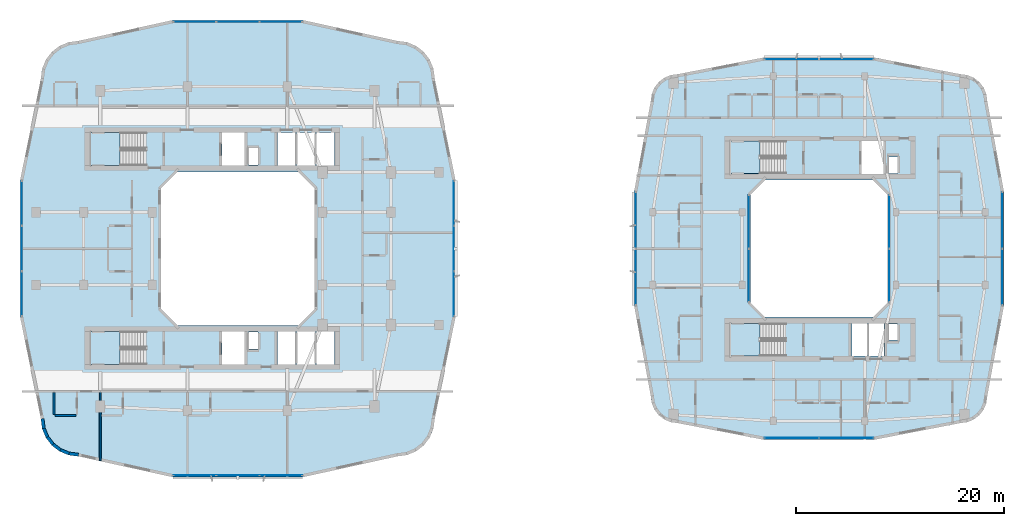
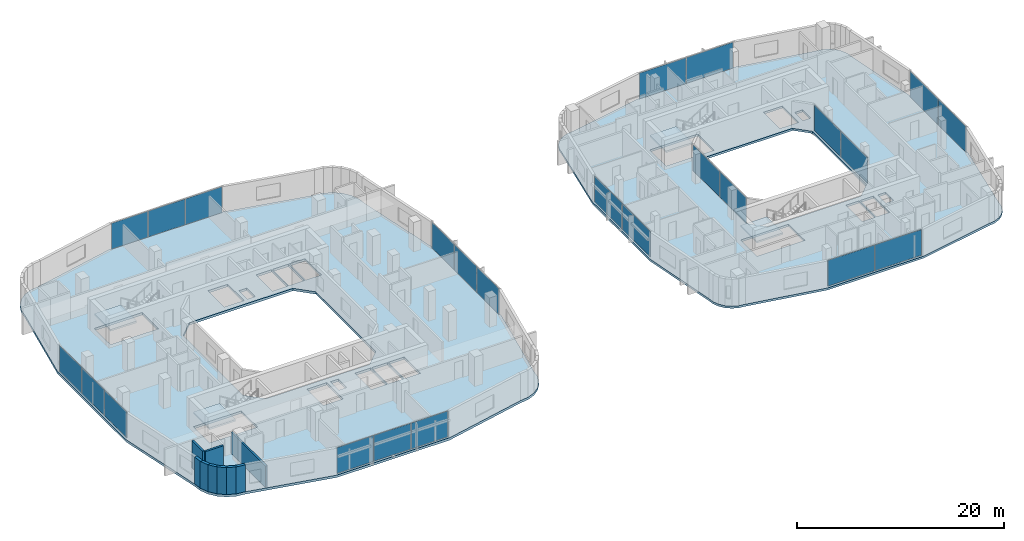
# One storey, part 11 of 25: 24 plates, 9 walls, 6 slabs, 14 elements without a shape of their own.
"""IFC4 building model written with IfcOpenShell, lengths in metres."""

from ifc_helpers import new_model, si_unit, derived_unit, direction, frame, frame_2d, origin, origin_2d, place, context, subcontext, project, spatial, polyline, rectangle, outline, extrude, material, layer, layer_set, type_object, element, aggregate, save


model = new_model("IFC4")

# Units and contexts
model_context = context("Model", 3, precision=1e-05, world=origin(), true_north=direction((0.0, 1.0)))
body_context = subcontext(model_context, "Body", "Model", "MODEL_VIEW")
ifc_project = project(units=[si_unit("LENGTHUNIT", "METRE"), si_unit("AREAUNIT", "SQUARE_METRE"), si_unit("VOLUMEUNIT", "CUBIC_METRE"), si_unit("PLANEANGLEUNIT", "RADIAN"), si_unit("MASSUNIT", "GRAM", prefix="KILO"), derived_unit("THERMALTRANSMITTANCEUNIT", [(si_unit("POWERUNIT", "WATT"), 1), (si_unit("LENGTHUNIT", "METRE"), -2), (si_unit("THERMODYNAMICTEMPERATUREUNIT", "KELVIN"), -1)])], contexts=[model_context])

# Site, building, storey
site_placement = place(None, origin())
site = spatial("IfcSite", under=ifc_project, at=site_placement, CompositionType="ELEMENT")
building_placement = place(site_placement, origin())
building = spatial("IfcBuilding", under=site, at=building_placement, Name="Kivonza Crest Hotel", CompositionType="ELEMENT")
storey_placement = place(building_placement, frame((0.0, 0.0, 87.0)))
storey = spatial("IfcBuildingStorey", under=building, at=storey_placement, Name="L23", CompositionType="ELEMENT", Elevation=87.0)

# Curtain wall, plates
ifc_material_1 = material(Name="Anodised bronze aluminium and low-E double glazing", Category="aluminium")
ifc_layer_1 = layer(ifc_material_1, 0.179931640625)
ifc_layer_set_1 = layer_set([ifc_layer_1], Name="Anodised bronze aluminium and low-E double glazing")
curtain_wall_type_1 = type_object("IfcCurtainWallType", Name="CW-SYS-2", PredefinedType="NOTDEFINED", material=ifc_layer_set_1)
curtain_wall_1_placement = place(storey_placement, origin())
curtain_wall_1 = element("IfcCurtainWall", 1, at=curtain_wall_1_placement, inside=storey, type_object=curtain_wall_type_1, Name="L23 unitised curtain wall CW-T1-L23-08", PredefinedType="NOTDEFINED")
ifc_material_2 = material(Name="Solar-control low-E double glazing", Category="glass")
ifc_layer_2 = layer(ifc_material_2, 0.028076171875)
ifc_layer_set_2 = layer_set([ifc_layer_2], Name="Solar-control low-E double glazing")
plate_type = type_object("IfcPlateType", Name="CW-PNL-28", PredefinedType="CURTAIN_PANEL", material=ifc_layer_set_2)
plate_1_placement = place(storey_placement, frame((16.890869140625, 3.159912109375, 0.06494140625), z_axis=(0.0, 0.0, 1.0), x_axis=(1.0, 0.0, 0.0)))
plate_1 = element("IfcPlate", 2, at=plate_1_placement, type_object=plate_type, Name="CW-2 panel 1.1", PredefinedType="CURTAIN_PANEL", context=body_context, shape_type="SweptSolid", body=[
    extrude(rectangle(XDim=4.06787109375, YDim=0.028076171875, at=origin_2d()), origin(), (0.0, 0.0, 1.0), 3.050048828125),
])
plate_2_placement = place(storey_placement, frame((21.0400390625, 3.159912109375, 0.06494140625), z_axis=(0.0, 0.0, 1.0), x_axis=(1.0, 0.0, 0.0)))
plate_2 = element("IfcPlate", 3, at=plate_2_placement, type_object=plate_type, Name="CW-2 panel 2.1", PredefinedType="CURTAIN_PANEL", context=body_context, shape_type="SweptSolid", body=[
    extrude(rectangle(XDim=4.100341796875, YDim=0.028076171875, at=origin_2d()), origin(), (0.0, 0.0, 1.0), 3.050048828125),
])
plate_3_placement = place(storey_placement, frame((25.18896484375, 3.159912109375, 0.06494140625), z_axis=(0.0, 0.0, 1.0), x_axis=(1.0, 0.0, 0.0)))
plate_3 = element("IfcPlate", 4, at=plate_3_placement, type_object=plate_type, Name="CW-2 panel 3.1", PredefinedType="CURTAIN_PANEL", context=body_context, shape_type="SweptSolid", body=[
    extrude(rectangle(XDim=4.06787109375, YDim=0.028076171875, at=origin_2d()), origin(), (0.0, 0.0, 1.0), 3.050048828125),
])
aggregate(curtain_wall_1, [plate_1, plate_2, plate_3])

curtain_wall_2_placement = place(storey_placement, origin())
curtain_wall_2 = element("IfcCurtainWall", 5, at=curtain_wall_2_placement, inside=storey, type_object=curtain_wall_type_1, Name="L23 unitised curtain wall CW-T1-L23-17", PredefinedType="NOTDEFINED")
plate_4_placement = place(storey_placement, frame((41.840087890625, 20.642822265625, 0.06494140625), z_axis=(0.0, 0.0, 1.0), x_axis=(0.0, 1.0, 0.0)))
plate_4 = element("IfcPlate", 6, at=plate_4_placement, type_object=plate_type, Name="CW-2 panel 1.1", PredefinedType="CURTAIN_PANEL", context=body_context, shape_type="SweptSolid", body=[
    extrude(rectangle(XDim=4.27587890625, YDim=0.028076171875, at=origin_2d()), origin(), (0.0, 0.0, 1.0), 3.050048828125),
])
plate_5_placement = place(storey_placement, frame((41.840087890625, 25.0, 0.06494140625), z_axis=(0.0, 0.0, 1.0), x_axis=(0.0, 1.0, 0.0)))
plate_5 = element("IfcPlate", 7, at=plate_5_placement, type_object=plate_type, Name="CW-2 panel 2.1", PredefinedType="CURTAIN_PANEL", context=body_context, shape_type="SweptSolid", body=[
    extrude(rectangle(XDim=4.308349609375, YDim=0.028076171875, at=origin_2d()), origin(), (0.0, 0.0, 1.0), 3.050048828125),
])
plate_6_placement = place(storey_placement, frame((41.840087890625, 29.357177734375, 0.06494140625), z_axis=(0.0, 0.0, 1.0), x_axis=(0.0, 1.0, 0.0)))
plate_6 = element("IfcPlate", 8, at=plate_6_placement, type_object=plate_type, Name="CW-2 panel 3.1", PredefinedType="CURTAIN_PANEL", context=body_context, shape_type="SweptSolid", body=[
    extrude(rectangle(XDim=4.27587890625, YDim=0.028076171875, at=origin_2d()), origin(), (0.0, 0.0, 1.0), 3.050048828125),
])
aggregate(curtain_wall_2, [plate_4, plate_5, plate_6])

curtain_wall_3_placement = place(storey_placement, origin())
curtain_wall_3 = element("IfcCurtainWall", 9, at=curtain_wall_3_placement, inside=storey, type_object=curtain_wall_type_1, Name="L23 unitised curtain wall CW-T1-L23-26", PredefinedType="NOTDEFINED")
plate_7_placement = place(storey_placement, frame((25.18896484375, 46.840087890625, 0.06494140625), z_axis=(0.0, 0.0, 1.0), x_axis=(-1.0, 0.0, 0.0)))
plate_7 = element("IfcPlate", 10, at=plate_7_placement, type_object=plate_type, Name="CW-2 panel 1.1", PredefinedType="CURTAIN_PANEL", context=body_context, shape_type="SweptSolid", body=[
    extrude(rectangle(XDim=4.06787109375, YDim=0.028076171875, at=origin_2d()), origin(), (0.0, 0.0, 1.0), 3.050048828125),
])
plate_8_placement = place(storey_placement, frame((21.0400390625, 46.840087890625, 0.06494140625), z_axis=(0.0, 0.0, 1.0), x_axis=(-1.0, 0.0, 0.0)))
plate_8 = element("IfcPlate", 11, at=plate_8_placement, type_object=plate_type, Name="CW-2 panel 2.1", PredefinedType="CURTAIN_PANEL", context=body_context, shape_type="SweptSolid", body=[
    extrude(rectangle(XDim=4.100341796875, YDim=0.028076171875, at=origin_2d()), origin(), (0.0, 0.0, 1.0), 3.050048828125),
])
plate_9_placement = place(storey_placement, frame((16.890869140625, 46.840087890625, 0.06494140625), z_axis=(0.0, 0.0, 1.0), x_axis=(-1.0, 0.0, 0.0)))
plate_9 = element("IfcPlate", 12, at=plate_9_placement, type_object=plate_type, Name="CW-2 panel 3.1", PredefinedType="CURTAIN_PANEL", context=body_context, shape_type="SweptSolid", body=[
    extrude(rectangle(XDim=4.06787109375, YDim=0.028076171875, at=origin_2d()), origin(), (0.0, 0.0, 1.0), 3.050048828125),
])
aggregate(curtain_wall_3, [plate_7, plate_8, plate_9])

curtain_wall_4_placement = place(storey_placement, origin())
curtain_wall_4 = element("IfcCurtainWall", 13, at=curtain_wall_4_placement, inside=storey, type_object=curtain_wall_type_1, Name="L23 unitised curtain wall CW-T1-L23-35", PredefinedType="NOTDEFINED")
plate_10_placement = place(storey_placement, frame((0.239990234375, 29.357177734375, 0.06494140625), z_axis=(0.0, 0.0, 1.0), x_axis=(0.0, -1.0, 0.0)))
plate_10 = element("IfcPlate", 14, at=plate_10_placement, type_object=plate_type, Name="CW-2 panel 1.1", PredefinedType="CURTAIN_PANEL", context=body_context, shape_type="SweptSolid", body=[
    extrude(rectangle(XDim=4.27587890625, YDim=0.028076171875, at=origin_2d()), origin(), (0.0, 0.0, 1.0), 3.050048828125),
])
plate_11_placement = place(storey_placement, frame((0.239990234375, 25.0, 0.06494140625), z_axis=(0.0, 0.0, 1.0), x_axis=(0.0, -1.0, 0.0)))
plate_11 = element("IfcPlate", 15, at=plate_11_placement, type_object=plate_type, Name="CW-2 panel 2.1", PredefinedType="CURTAIN_PANEL", context=body_context, shape_type="SweptSolid", body=[
    extrude(rectangle(XDim=4.308349609375, YDim=0.028076171875, at=origin_2d()), origin(), (0.0, 0.0, 1.0), 3.050048828125),
])
plate_12_placement = place(storey_placement, frame((0.239990234375, 20.642822265625, 0.06494140625), z_axis=(0.0, 0.0, 1.0), x_axis=(0.0, -1.0, 0.0)))
plate_12 = element("IfcPlate", 16, at=plate_12_placement, type_object=plate_type, Name="CW-2 panel 3.1", PredefinedType="CURTAIN_PANEL", context=body_context, shape_type="SweptSolid", body=[
    extrude(rectangle(XDim=4.27587890625, YDim=0.028076171875, at=origin_2d()), origin(), (0.0, 0.0, 1.0), 3.050048828125),
])
aggregate(curtain_wall_4, [plate_10, plate_11, plate_12])

ifc_layer_3 = layer(ifc_material_1, 0.179931640625)
ifc_layer_set_3 = layer_set([ifc_layer_3], Name="Anodised bronze aluminium and low-E double glazing")
curtain_wall_type_2 = type_object("IfcCurtainWallType", Name="CW-SYS-4", PredefinedType="NOTDEFINED", material=ifc_layer_set_3)
curtain_wall_5_placement = place(storey_placement, origin())
curtain_wall_5 = element("IfcCurtainWall", 17, at=curtain_wall_5_placement, inside=storey, type_object=curtain_wall_type_2, Name="L23 unitised curtain wall CW-T2-L23-08", PredefinedType="NOTDEFINED")
plate_13_placement = place(storey_placement, frame((74.3662109375, 6.760009765625, 0.06494140625), z_axis=(0.0, 0.0, 1.0), x_axis=(1.0, 0.0, 0.0)))
plate_13 = element("IfcPlate", 18, at=plate_13_placement, type_object=plate_type, Name="CW-4 panel 1.1", PredefinedType="CURTAIN_PANEL", context=body_context, shape_type="SweptSolid", body=[
    extrude(rectangle(XDim=5.202392578125, YDim=0.028076171875, at=origin_2d()), origin(), (0.0, 0.0, 1.0), 3.050048828125),
])
plate_14_placement = place(storey_placement, frame((79.6337890625, 6.760009765625, 0.06494140625), z_axis=(0.0, 0.0, 1.0), x_axis=(1.0, 0.0, 0.0)))
plate_14 = element("IfcPlate", 19, at=plate_14_placement, type_object=plate_type, Name="CW-4 panel 2.1", PredefinedType="CURTAIN_PANEL", context=body_context, shape_type="SweptSolid", body=[
    extrude(rectangle(XDim=5.202392578125, YDim=0.028076171875, at=origin_2d()), origin(), (0.0, 0.0, 1.0), 3.050048828125),
])
aggregate(curtain_wall_5, [plate_13, plate_14])

curtain_wall_6_placement = place(storey_placement, origin())
curtain_wall_6 = element("IfcCurtainWall", 20, at=curtain_wall_6_placement, inside=storey, type_object=curtain_wall_type_2, Name="L23 unitised curtain wall CW-T2-L23-17", PredefinedType="NOTDEFINED")
plate_15_placement = place(storey_placement, frame((94.639892578125, 22.2763671875, 0.06494140625), z_axis=(0.0, 0.0, 1.0), x_axis=(0.0, 1.0, 0.0)))
plate_15 = element("IfcPlate", 21, at=plate_15_placement, type_object=plate_type, Name="CW-4 panel 1.1", PredefinedType="CURTAIN_PANEL", context=body_context, shape_type="SweptSolid", body=[
    extrude(rectangle(XDim=5.382568359375, YDim=0.028076171875, at=origin_2d()), origin(), (0.0, 0.0, 1.0), 3.050048828125),
])
plate_16_placement = place(storey_placement, frame((94.639892578125, 27.7236328125, 0.06494140625), z_axis=(0.0, 0.0, 1.0), x_axis=(0.0, 1.0, 0.0)))
plate_16 = element("IfcPlate", 22, at=plate_16_placement, type_object=plate_type, Name="CW-4 panel 2.1", PredefinedType="CURTAIN_PANEL", context=body_context, shape_type="SweptSolid", body=[
    extrude(rectangle(XDim=5.382568359375, YDim=0.028076171875, at=origin_2d()), origin(), (0.0, 0.0, 1.0), 3.050048828125),
])
aggregate(curtain_wall_6, [plate_15, plate_16])

curtain_wall_7_placement = place(storey_placement, origin())
curtain_wall_7 = element("IfcCurtainWall", 23, at=curtain_wall_7_placement, inside=storey, type_object=curtain_wall_type_2, Name="L23 unitised curtain wall CW-T2-L23-26", PredefinedType="NOTDEFINED")
plate_17_placement = place(storey_placement, frame((79.6337890625, 43.239990234375, 0.06494140625), z_axis=(0.0, 0.0, 1.0), x_axis=(-1.0, 0.0, 0.0)))
plate_17 = element("IfcPlate", 24, at=plate_17_placement, type_object=plate_type, Name="CW-4 panel 1.1", PredefinedType="CURTAIN_PANEL", context=body_context, shape_type="SweptSolid", body=[
    extrude(rectangle(XDim=5.202392578125, YDim=0.028076171875, at=origin_2d()), origin(), (0.0, 0.0, 1.0), 3.050048828125),
])
plate_18_placement = place(storey_placement, frame((74.3662109375, 43.239990234375, 0.06494140625), z_axis=(0.0, 0.0, 1.0), x_axis=(-1.0, 0.0, 0.0)))
plate_18 = element("IfcPlate", 25, at=plate_18_placement, type_object=plate_type, Name="CW-4 panel 2.1", PredefinedType="CURTAIN_PANEL", context=body_context, shape_type="SweptSolid", body=[
    extrude(rectangle(XDim=5.202392578125, YDim=0.028076171875, at=origin_2d()), origin(), (0.0, 0.0, 1.0), 3.050048828125),
])
aggregate(curtain_wall_7, [plate_17, plate_18])

curtain_wall_8_placement = place(storey_placement, origin())
curtain_wall_8 = element("IfcCurtainWall", 26, at=curtain_wall_8_placement, inside=storey, type_object=curtain_wall_type_2, Name="L23 unitised curtain wall CW-T2-L23-35", PredefinedType="NOTDEFINED")
plate_19_placement = place(storey_placement, frame((59.360107421875, 27.7236328125, 0.06494140625), z_axis=(0.0, 0.0, 1.0), x_axis=(0.0, -1.0, 0.0)))
plate_19 = element("IfcPlate", 27, at=plate_19_placement, type_object=plate_type, Name="CW-4 panel 1.1", PredefinedType="CURTAIN_PANEL", context=body_context, shape_type="SweptSolid", body=[
    extrude(rectangle(XDim=5.382568359375, YDim=0.028076171875, at=origin_2d()), origin(), (0.0, 0.0, 1.0), 3.050048828125),
])
plate_20_placement = place(storey_placement, frame((59.360107421875, 22.2763671875, 0.06494140625), z_axis=(0.0, 0.0, 1.0), x_axis=(0.0, -1.0, 0.0)))
plate_20 = element("IfcPlate", 28, at=plate_20_placement, type_object=plate_type, Name="CW-4 panel 2.1", PredefinedType="CURTAIN_PANEL", context=body_context, shape_type="SweptSolid", body=[
    extrude(rectangle(XDim=5.382568359375, YDim=0.028076171875, at=origin_2d()), origin(), (0.0, 0.0, 1.0), 3.050048828125),
])
aggregate(curtain_wall_8, [plate_19, plate_20])

ifc_layer_4 = layer(ifc_material_1, 0.159912109375)
ifc_layer_set_4 = layer_set([ifc_layer_4], Name="Anodised bronze aluminium and low-E double glazing")
curtain_wall_type_3 = type_object("IfcCurtainWallType", Name="CW-SYS-5", PredefinedType="NOTDEFINED", material=ifc_layer_set_4)
curtain_wall_9_placement = place(storey_placement, origin())
curtain_wall_9 = element("IfcCurtainWall", 29, at=curtain_wall_9_placement, inside=storey, type_object=curtain_wall_type_3, Name="L23 unitised curtain wall CW-WELL-T2-L23-3", PredefinedType="NOTDEFINED")
plate_21_placement = place(storey_placement, frame((83.760009765625, 22.416259765625, 0.06494140625), z_axis=(0.0, 0.0, 1.0), x_axis=(0.0, 1.0, 0.0)))
plate_21 = element("IfcPlate", 30, at=plate_21_placement, type_object=plate_type, Name="CW-5 panel 1.1", PredefinedType="CURTAIN_PANEL", context=body_context, shape_type="SweptSolid", body=[
    extrude(rectangle(XDim=5.1025390625, YDim=0.028076171875, at=origin_2d()), origin(), (0.0, 0.0, 1.0), 3.050048828125),
])
plate_22_placement = place(storey_placement, frame((83.760009765625, 27.583740234375, 0.06494140625), z_axis=(0.0, 0.0, 1.0), x_axis=(0.0, 1.0, 0.0)))
plate_22 = element("IfcPlate", 31, at=plate_22_placement, type_object=plate_type, Name="CW-5 panel 2.1", PredefinedType="CURTAIN_PANEL", context=body_context, shape_type="SweptSolid", body=[
    extrude(rectangle(XDim=5.1025390625, YDim=0.028076171875, at=origin_2d()), origin(), (0.0, 0.0, 1.0), 3.050048828125),
])
aggregate(curtain_wall_9, [plate_21, plate_22])

curtain_wall_10_placement = place(storey_placement, origin())
curtain_wall_10 = element("IfcCurtainWall", 32, at=curtain_wall_10_placement, inside=storey, type_object=curtain_wall_type_3, Name="L23 unitised curtain wall CW-WELL-T2-L23-7", PredefinedType="NOTDEFINED")
plate_23_placement = place(storey_placement, frame((70.239990234375, 27.583740234375, 0.06494140625), z_axis=(0.0, 0.0, 1.0), x_axis=(0.0, -1.0, 0.0)))
plate_23 = element("IfcPlate", 33, at=plate_23_placement, type_object=plate_type, Name="CW-5 panel 1.1", PredefinedType="CURTAIN_PANEL", context=body_context, shape_type="SweptSolid", body=[
    extrude(rectangle(XDim=5.1025390625, YDim=0.028076171875, at=origin_2d()), origin(), (0.0, 0.0, 1.0), 3.050048828125),
])
plate_24_placement = place(storey_placement, frame((70.239990234375, 22.416259765625, 0.06494140625), z_axis=(0.0, 0.0, 1.0), x_axis=(0.0, -1.0, 0.0)))
plate_24 = element("IfcPlate", 34, at=plate_24_placement, type_object=plate_type, Name="CW-5 panel 2.1", PredefinedType="CURTAIN_PANEL", context=body_context, shape_type="SweptSolid", body=[
    extrude(rectangle(XDim=5.1025390625, YDim=0.028076171875, at=origin_2d()), origin(), (0.0, 0.0, 1.0), 3.050048828125),
])
aggregate(curtain_wall_10, [plate_23, plate_24])

# Slab
ifc_material_3 = material(Name="Concrete C40/50", Category="concrete")
ifc_layer_5 = layer(ifc_material_3, 0.280029296875)
ifc_layer_set_5 = layer_set([ifc_layer_5], Name="Concrete C40/50")
slab_type_1 = type_object("IfcSlabType", Name="SL-HTL-280", PredefinedType="FLOOR", material=ifc_layer_set_5)
slab_1_placement = place(storey_placement, frame((0.0, 0.0, -0.280029296875)))
element("IfcSlab", 35, at=slab_1_placement, inside=storey, type_object=slab_type_1, Name="Tower T1 L23 floor slab", PredefinedType="FLOOR", context=body_context, shape_type="SweptSolid", body=[
    extrude(outline(polyline([(2.080078125, 8.60009765625), (2.202880859375, 7.66796875), (2.56201171875, 6.800048828125), (3.134033203125, 6.053955078125), (3.8798828125, 5.48193359375), (4.748046875, 5.123046875), (5.679931640625, 5.0), (14.751953125, 3.0), (27.327880859375, 3.0), (36.39990234375, 5.0), (37.33203125, 5.123046875), (38.199951171875, 5.48193359375), (38.946044921875, 6.053955078125), (39.51806640625, 6.800048828125), (39.876953125, 7.66796875), (40.0, 8.60009765625), (42.0, 18.39990234375), (42.0, 31.60009765625), (40.0, 41.39990234375), (39.876953125, 42.33203125), (39.51806640625, 43.199951171875), (38.946044921875, 43.946044921875), (38.199951171875, 44.51806640625), (37.33203125, 44.876953125), (36.39990234375, 45.0), (27.327880859375, 47.0), (14.751953125, 47.0), (5.679931640625, 45.0), (4.748046875, 44.876953125), (3.8798828125, 44.51806640625), (3.134033203125, 43.946044921875), (2.56201171875, 43.199951171875), (2.202880859375, 42.33203125), (2.080078125, 41.39990234375), (0.080078125, 31.60009765625), (0.080078125, 18.39990234375), (2.080078125, 8.60009765625)]), holes=[polyline([(15.239990234375, 17.60009765625), (26.840087890625, 17.60009765625), (28.43994140625, 19.199951171875), (28.43994140625, 30.800048828125), (26.840087890625, 32.39990234375), (15.239990234375, 32.39990234375), (13.639892578125, 30.800048828125), (13.639892578125, 19.199951171875), (15.239990234375, 17.60009765625)]), polyline([(6.800048828125, 33.02001953125), (12.159912109375, 33.02001953125), (12.159912109375, 36.159912109375), (6.800048828125, 36.159912109375), (6.800048828125, 33.02001953125)]), polyline([(6.800048828125, 13.860107421875), (12.159912109375, 13.860107421875), (12.159912109375, 17.0), (6.800048828125, 17.0), (6.800048828125, 13.860107421875)]), polyline([(22.080078125, 33.0400390625), (22.969970703125, 33.0400390625), (22.969970703125, 34.679931640625), (22.080078125, 34.679931640625), (22.080078125, 33.0400390625)]), polyline([(22.080078125, 15.320068359375), (22.969970703125, 15.320068359375), (22.969970703125, 16.9599609375), (22.080078125, 16.9599609375), (22.080078125, 15.320068359375)]), polyline([(19.5, 33.0), (21.699951171875, 33.0), (21.699951171875, 36.159912109375), (19.5, 36.159912109375), (19.5, 33.0)]), polyline([(24.860107421875, 33.0), (26.60693359375, 33.0), (26.60693359375, 36.159912109375), (24.860107421875, 36.159912109375), (24.860107421875, 33.0)]), polyline([(26.72705078125, 33.0), (28.472900390625, 33.0), (28.472900390625, 36.159912109375), (26.72705078125, 36.159912109375), (26.72705078125, 33.0)]), polyline([(28.593017578125, 33.0), (30.340087890625, 33.0), (30.340087890625, 36.159912109375), (28.593017578125, 36.159912109375), (28.593017578125, 33.0)]), polyline([(19.5, 13.840087890625), (21.699951171875, 13.840087890625), (21.699951171875, 17.0), (19.5, 17.0), (19.5, 13.840087890625)]), polyline([(24.860107421875, 13.840087890625), (26.60693359375, 13.840087890625), (26.60693359375, 17.0), (24.860107421875, 17.0), (24.860107421875, 13.840087890625)]), polyline([(26.72705078125, 13.840087890625), (28.472900390625, 13.840087890625), (28.472900390625, 17.0), (26.72705078125, 17.0), (26.72705078125, 13.840087890625)]), polyline([(28.593017578125, 13.840087890625), (30.340087890625, 13.840087890625), (30.340087890625, 17.0), (28.593017578125, 17.0), (28.593017578125, 13.840087890625)])]), origin(), (0.0, 0.0, 1.0), 0.280029296875),
])

# Stair, slab
stair_type = type_object("IfcStairType", Name="ST-DL-20R", PredefinedType="HALF_TURN_STAIR", material=ifc_material_3)
stair_1_placement = place(storey_placement, origin())
stair_1 = element("IfcStair", 36, at=stair_1_placement, inside=storey, type_object=stair_type, Name="L23 Protected Exit Stair ST-T1-N", PredefinedType="HALF_TURN_STAIR")
ifc_layer_6 = layer(ifc_material_3, 0.199951171875)
ifc_layer_set_6 = layer_set([ifc_layer_6], Name="Concrete C40/50")
slab_type_2 = type_object("IfcSlabType", Name="SL-LAND-200", PredefinedType="LANDING", material=ifc_layer_set_6)
slab_2_placement = place(storey_placement, frame((0.0, 0.0, 1.550048828125)))
slab_2 = element("IfcSlab", 37, at=slab_2_placement, type_object=slab_type_2, Name="ST-T1-N landing 1", PredefinedType="LANDING", context=body_context, shape_type="SweptSolid", body=[
    extrude(outline(polyline([(9.719970703125, 36.159912109375), (6.800048828125, 36.159912109375), (6.800048828125, 33.02001953125), (9.719970703125, 33.02001953125), (9.719970703125, 36.159912109375)])), origin(), (0.0, 0.0, 1.0), 0.199951171875),
])
aggregate(stair_1, [slab_2])

stair_2_placement = place(storey_placement, origin())
stair_2 = element("IfcStair", 38, at=stair_2_placement, inside=storey, type_object=stair_type, Name="L23 Protected Exit Stair ST-T1-S", PredefinedType="HALF_TURN_STAIR")
slab_3_placement = place(storey_placement, frame((0.0, 0.0, 1.550048828125)))
slab_3 = element("IfcSlab", 39, at=slab_3_placement, type_object=slab_type_2, Name="ST-T1-S landing 1", PredefinedType="LANDING", context=body_context, shape_type="SweptSolid", body=[
    extrude(outline(polyline([(9.719970703125, 17.0), (6.800048828125, 17.0), (6.800048828125, 13.860107421875), (9.719970703125, 13.860107421875), (9.719970703125, 17.0)])), origin(), (0.0, 0.0, 1.0), 0.199951171875),
])
aggregate(stair_2, [slab_3])

stair_3_placement = place(storey_placement, origin())
stair_3 = element("IfcStair", 40, at=stair_3_placement, inside=storey, type_object=stair_type, Name="L23 Protected Exit Stair ST-T2-N", PredefinedType="HALF_TURN_STAIR")
slab_4_placement = place(storey_placement, frame((0.0, 0.0, 1.550048828125)))
slab_4 = element("IfcSlab", 41, at=slab_4_placement, type_object=slab_type_2, Name="ST-T2-N landing 1", PredefinedType="LANDING", context=body_context, shape_type="SweptSolid", body=[
    extrude(outline(polyline([(71.320068359375, 35.360107421875), (68.39990234375, 35.360107421875), (68.39990234375, 32.219970703125), (71.320068359375, 32.219970703125), (71.320068359375, 35.360107421875)])), origin(), (0.0, 0.0, 1.0), 0.199951171875),
])
aggregate(stair_3, [slab_4])

stair_4_placement = place(storey_placement, origin())
stair_4 = element("IfcStair", 42, at=stair_4_placement, inside=storey, type_object=stair_type, Name="L23 Protected Exit Stair ST-T2-S", PredefinedType="HALF_TURN_STAIR")
slab_5_placement = place(storey_placement, frame((0.0, 0.0, 1.550048828125)))
slab_5 = element("IfcSlab", 43, at=slab_5_placement, type_object=slab_type_2, Name="ST-T2-S landing 1", PredefinedType="LANDING", context=body_context, shape_type="SweptSolid", body=[
    extrude(outline(polyline([(71.320068359375, 17.800048828125), (68.39990234375, 17.800048828125), (68.39990234375, 14.659912109375), (71.320068359375, 14.659912109375), (71.320068359375, 17.800048828125)])), origin(), (0.0, 0.0, 1.0), 0.199951171875),
])
aggregate(stair_4, [slab_5])

# Slab
ifc_layer_7 = layer(ifc_material_3, 0.25)
ifc_layer_set_7 = layer_set([ifc_layer_7], Name="Concrete C40/50")
slab_type_3 = type_object("IfcSlabType", Name="SL-RES-250", PredefinedType="FLOOR", material=ifc_layer_set_7)
slab_6_placement = place(storey_placement, frame((0.0, 0.0, -0.25)))
element("IfcSlab", 44, at=slab_6_placement, inside=storey, type_object=slab_type_3, Name="Companion Tower T2 L23 floor slab", PredefinedType="FLOOR", context=body_context, shape_type="SweptSolid", body=[
    extrude(outline(polyline([(60.800048828125, 10.800048828125), (60.888916015625, 10.126953125), (61.14794921875, 9.5), (61.56201171875, 8.9619140625), (62.10009765625, 8.548095703125), (62.72705078125, 8.2890625), (63.39990234375, 8.199951171875), (71.659912109375, 6.60009765625), (82.340087890625, 6.60009765625), (90.60009765625, 8.199951171875), (91.27294921875, 8.2890625), (91.89990234375, 8.548095703125), (92.43798828125, 8.9619140625), (92.85205078125, 9.5), (93.111083984375, 10.126953125), (93.199951171875, 10.800048828125), (94.800048828125, 19.47998046875), (94.800048828125, 30.52001953125), (93.199951171875, 39.199951171875), (93.111083984375, 39.873046875), (92.85205078125, 40.5), (92.43798828125, 41.0380859375), (91.89990234375, 41.451904296875), (91.27294921875, 41.7109375), (90.60009765625, 41.800048828125), (82.340087890625, 43.39990234375), (71.659912109375, 43.39990234375), (63.39990234375, 41.800048828125), (62.72705078125, 41.7109375), (62.10009765625, 41.451904296875), (61.56201171875, 41.0380859375), (61.14794921875, 40.5), (60.888916015625, 39.873046875), (60.800048828125, 39.199951171875), (59.199951171875, 30.52001953125), (59.199951171875, 19.47998046875), (60.800048828125, 10.800048828125)]), holes=[polyline([(71.800048828125, 18.39990234375), (82.199951171875, 18.39990234375), (83.60009765625, 19.800048828125), (83.60009765625, 30.199951171875), (82.199951171875, 31.60009765625), (71.800048828125, 31.60009765625), (70.39990234375, 30.199951171875), (70.39990234375, 19.800048828125), (71.800048828125, 18.39990234375)]), polyline([(68.39990234375, 32.219970703125), (73.760009765625, 32.219970703125), (73.760009765625, 35.360107421875), (68.39990234375, 35.360107421875), (68.39990234375, 32.219970703125)]), polyline([(68.39990234375, 14.659912109375), (73.760009765625, 14.659912109375), (73.760009765625, 17.800048828125), (68.39990234375, 17.800048828125), (68.39990234375, 14.659912109375)]), polyline([(83.679931640625, 32.239990234375), (84.570068359375, 32.239990234375), (84.570068359375, 33.820068359375), (83.679931640625, 33.820068359375), (83.679931640625, 32.239990234375)]), polyline([(83.679931640625, 16.179931640625), (84.570068359375, 16.179931640625), (84.570068359375, 17.760009765625), (83.679931640625, 17.760009765625), (83.679931640625, 16.179931640625)]), polyline([(81.10009765625, 32.199951171875), (83.199951171875, 32.199951171875), (83.199951171875, 35.360107421875), (81.10009765625, 35.360107421875), (81.10009765625, 32.199951171875)]), polyline([(80.159912109375, 14.639892578125), (81.639892578125, 14.639892578125), (81.639892578125, 17.800048828125), (80.159912109375, 17.800048828125), (80.159912109375, 14.639892578125)]), polyline([(81.760009765625, 14.639892578125), (83.239990234375, 14.639892578125), (83.239990234375, 17.800048828125), (81.760009765625, 17.800048828125), (81.760009765625, 14.639892578125)])]), origin(), (0.0, 0.0, 1.0), 0.25),
])

# Walls
ifc_material_4 = material(Name="High-density acoustic masonry inter-tenancy wall", Category="masonry")
ifc_layer_8 = layer(ifc_material_4, 0.179931640625)
ifc_layer_set_8 = layer_set([ifc_layer_8], Name="High-density acoustic masonry inter-tenancy wall")
wall_type_1 = type_object("IfcWallType", Name="WL-ACOU-180", PredefinedType="SOLIDWALL", material=ifc_layer_set_8)
wall_1_placement = place(storey_placement, frame((7.800048828125, 4.593994140625, 0.0), z_axis=(0.0, 0.0, 1.0), x_axis=(0.0, 1.0, 0.0)))
element("IfcWall", 45, at=wall_1_placement, inside=storey, type_object=wall_type_1, Name="L23 interior partition WA-L23-T1S-DIV1", PredefinedType="SOLIDWALL", context=body_context, shape_type="SweptSolid", body=[
    extrude(rectangle(XDim=6.656005859375, YDim=0.179931640625, at=frame_2d((3.328125, 0.0))), origin(), (0.0, 0.0, 1.0), 2.554931640625),
])
ifc_material_5 = material(Name="Precast concrete C40/50", Category="concrete")
ifc_layer_9 = layer(ifc_material_5, 0.300048828125)
ifc_layer_set_9 = layer_set([ifc_layer_9], Name="Precast concrete C40/50")
wall_type_2 = type_object("IfcWallType", Name="WL-EXT-300", PredefinedType="STANDARD", material=ifc_layer_set_9)
wall_2_placement = place(storey_placement, frame((2.22802734375, 8.6279296875, 0.0), z_axis=(0.0, 0.0, 1.0), x_axis=(0.131174864804, -0.991359246108, 0.0)))
element("IfcWall", 46, at=wall_2_placement, inside=storey, type_object=wall_type_2, Name="L23 T1 exterior insulated wall 1", PredefinedType="STANDARD", context=body_context, shape_type="SweptSolid", body=[
    extrude(rectangle(XDim=0.93798828125, YDim=0.300048828125, at=frame_2d((0.468994140625, 0.0))), origin(), (0.0, 0.0, 1.0), 3.179931640625),
])
wall_3_placement = place(storey_placement, frame((2.33203125, 7.748046875, 0.0), z_axis=(0.0, 0.0, 1.0), x_axis=(0.382344263057, -0.924019948111, 0.0)))
element("IfcWall", 47, at=wall_3_placement, inside=storey, type_object=wall_type_2, Name="L23 T1 exterior insulated wall 2", PredefinedType="STANDARD", context=body_context, shape_type="SweptSolid", body=[
    extrude(rectangle(XDim=0.95458984375, YDim=0.300048828125, at=frame_2d((0.477294921875, 0.0))), origin(), (0.0, 0.0, 1.0), 3.179931640625),
])
for number, where, z_axis, x_axis, name in (
    (48, (2.666015625, 6.910888671875, 0.0), (0.0, 0.0, 1.0), (0.608474481025, -0.793573440799, 0.0), "L23 T1 exterior insulated wall 3"),
    (49, (3.205078125, 6.18798828125, 0.0), (0.0, 0.0, 1.0), (0.793573440799, -0.608474481025, 0.0), "L23 T1 exterior insulated wall 4"),
):
    element("IfcWall", number, at=place(storey_placement, frame(where, z_axis=z_axis, x_axis=x_axis)), inside=storey, type_object=wall_type_2, Name=name, PredefinedType="STANDARD", context=body_context, shape_type="SweptSolid", body=[
        extrude(rectangle(XDim=0.954833984375, YDim=0.300048828125, at=frame_2d((0.4775390625, 0.0))), origin(), (0.0, 0.0, 1.0), 3.179931640625),
    ])
wall_4_placement = place(storey_placement, frame((3.9140625, 5.631103515625, 0.0), z_axis=(0.0, 0.0, 1.0), x_axis=(0.923982547689, -0.382434636986, 0.0)))
element("IfcWall", 50, at=wall_4_placement, inside=storey, type_object=wall_type_2, Name="L23 T1 exterior insulated wall 5", PredefinedType="STANDARD", context=body_context, shape_type="SweptSolid", body=[
    extrude(rectangle(XDim=0.954345703125, YDim=0.300048828125, at=frame_2d((0.47705078125, 0.0))), origin(), (0.0, 0.0, 1.0), 3.179931640625),
])
wall_5_placement = place(storey_placement, frame((4.742919921875, 5.27490234375, 0.0), z_axis=(0.0, 0.0, 1.0), x_axis=(0.99145856342, -0.130422072598, 0.0)))
element("IfcWall", 51, at=wall_5_placement, inside=storey, type_object=wall_type_2, Name="L23 T1 exterior insulated wall 6", PredefinedType="STANDARD", context=body_context, shape_type="SweptSolid", body=[
    extrude(rectangle(XDim=0.973388671875, YDim=0.300048828125, at=frame_2d((0.48681640625, 0.0))), origin(), (0.0, 0.0, 1.0), 3.179931640625),
])
ifc_material_6 = material(Name="Moisture-resistant plumbing chase partition wall", Category="gypsum")
ifc_layer_10 = layer(ifc_material_6, 0.199951171875)
ifc_layer_set_10 = layer_set([ifc_layer_10], Name="Moisture-resistant plumbing chase partition wall")
wall_type_3 = type_object("IfcWallType", Name="WL-PLUMB-200", PredefinedType="PLUMBINGWALL", material=ifc_layer_set_10)
wall_6_placement = place(storey_placement, frame((3.449951171875, 8.949951171875, 0.0), z_axis=(0.0, 0.0, 1.0), x_axis=(1.0, 0.0, 0.0)))
element("IfcWall", 52, at=wall_6_placement, inside=storey, type_object=wall_type_3, Name="L23 interior partition WW-L23-S03-BH", PredefinedType="PLUMBINGWALL", context=body_context, shape_type="SweptSolid", body=[
    extrude(rectangle(XDim=2.0, YDim=0.199951171875, at=frame_2d((1.0, 0.0))), origin(), (0.0, 0.0, 1.0), 3.179931640625),
])
wall_7_placement = place(storey_placement, frame((3.35009765625, 9.050048828125, 0.0), z_axis=(0.0, 0.0, 1.0), x_axis=(0.0, 1.0, 0.0)))
element("IfcWall", 53, at=wall_7_placement, inside=storey, type_object=wall_type_3, Name="L23 interior partition WW-L23-S03-BVW", PredefinedType="PLUMBINGWALL", context=body_context, shape_type="SweptSolid", body=[
    extrude(rectangle(XDim=2.099853515625, YDim=0.199951171875, at=frame_2d((1.0498046875, 0.0))), origin(), (0.0, 0.0, 1.0), 3.179931640625),
])

save(model, "model.ifc")
